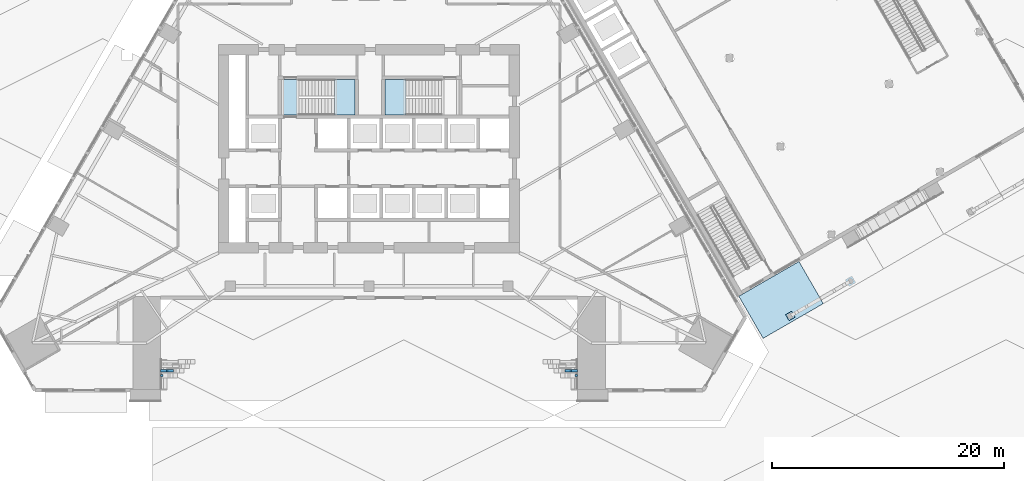
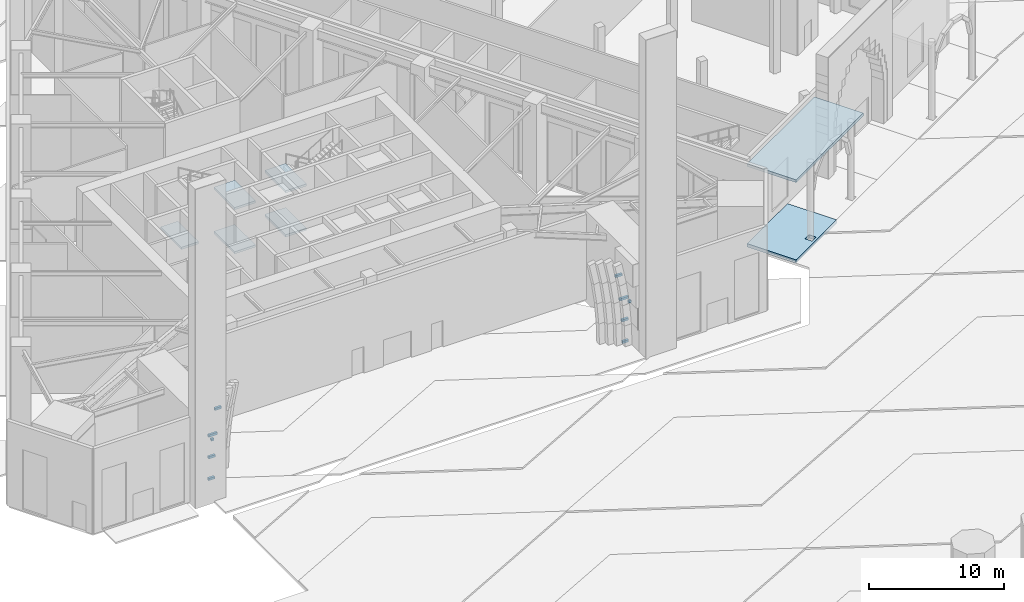
# One storey, part 6 of 34: 10 beams, 7 slabs, 2 elements without a shape of their own.
"""IFC4 building model written with IfcOpenShell, lengths in metres."""

from ifc_helpers import new_model, si_unit, direction, frame, origin, origin_2d, place, context, subcontext, project, spatial, polyline, rectangle, outline, extrude, material, layer, layer_set, material_profile, profile_set, type_object, element, aggregate, save


model = new_model("IFC4")

# Units and contexts
model_context = context("Model", 3, precision=1e-05, world=origin(), true_north=direction((0.0, 1.0)))
body_context = subcontext(model_context, "Body", "Model", "MODEL_VIEW")
ifc_project = project(units=[si_unit("LENGTHUNIT", "METRE"), si_unit("AREAUNIT", "SQUARE_METRE"), si_unit("VOLUMEUNIT", "CUBIC_METRE"), si_unit("PLANEANGLEUNIT", "RADIAN"), si_unit("MASSUNIT", "GRAM", prefix="KILO")], contexts=[model_context])

# Site, building, storey
site_placement = place(None, origin())
site = spatial("IfcSite", under=ifc_project, at=site_placement, CompositionType="ELEMENT")
building_placement = place(site_placement, origin())
building = spatial("IfcBuilding", under=site, at=building_placement, Name="Firuza Gate Tower and Library", CompositionType="ELEMENT")
storey_placement = place(building_placement, origin())
storey = spatial("IfcBuildingStorey", under=building, at=storey_placement, Name="L00", CompositionType="ELEMENT", Elevation=0.0)

# Beams
ifc_material_1 = material(Name="Concrete C60/75", Category="concrete")
ifc_material_profile = material_profile(ifc_material_1, rectangle(XDim=0.199951171875, YDim=0.199951171875, at=origin_2d()))
ifc_profile_set = profile_set([ifc_material_profile], Name="Concrete C60/75")
beam_type = type_object("IfcBeamType", Name="Arch rib bracket 200x200", PredefinedType="BEAM", material=ifc_profile_set)
for number, where, z_axis, x_axis, name in (
    (1, (57.0, 55.415283203125, 3.862548828125), (1.0, 0.0, 0.0), (0.0, 1.0, 0.0), "Arch rib bracket 1.3"),
    (2, (93.0, 55.415283203125, 3.862548828125), (-1.0, 0.0, 0.0), (0.0, -1.0, 0.0), "Arch rib bracket 1.36"),
):
    element("IfcBeam", number, at=place(storey_placement, frame(where, z_axis=z_axis, x_axis=x_axis)), inside=storey, type_object=beam_type, Name=name, PredefinedType="BEAM", context=body_context, shape_type="SweptSolid", body=[
        extrude(rectangle(XDim=0.199951171875, YDim=0.199951171875, at=origin_2d()), origin(), (0.0, 0.0, 1.0), 0.22998046875),
    ])
beam_1_placement = place(storey_placement, frame((57.0, 55.8154296875, 0.050048828125), z_axis=(1.0, 0.0, 0.0), x_axis=(0.0, 1.0, 0.0)))
element("IfcBeam", 3, at=beam_1_placement, inside=storey, type_object=beam_type, Name="Arch rib bracket 2.1", PredefinedType="BEAM", context=body_context, shape_type="SweptSolid", body=[
    extrude(rectangle(XDim=0.199951171875, YDim=0.199951171875, at=origin_2d()), origin(), (0.0, 0.0, 1.0), 0.51123046875),
])
beam_2_placement = place(storey_placement, frame((57.0, 55.8154296875, 2.0234375), z_axis=(1.0, 0.0, 0.0), x_axis=(0.0, 1.0, 0.0)))
element("IfcBeam", 4, at=beam_2_placement, inside=storey, type_object=beam_type, Name="Arch rib bracket 2.2", PredefinedType="BEAM", context=body_context, shape_type="SweptSolid", body=[
    extrude(rectangle(XDim=0.199951171875, YDim=0.199951171875, at=origin_2d()), origin(), (0.0, 0.0, 1.0), 0.571533203125),
])
beam_3_placement = place(storey_placement, frame((57.0, 55.8154296875, 3.990234375), z_axis=(1.0, 0.0, 0.0), x_axis=(0.0, 1.0, 0.0)))
element("IfcBeam", 5, at=beam_3_placement, inside=storey, type_object=beam_type, Name="Arch rib bracket 2.3", PredefinedType="BEAM", context=body_context, shape_type="SweptSolid", body=[
    extrude(rectangle(XDim=0.199951171875, YDim=0.199951171875, at=origin_2d()), origin(), (0.0, 0.0, 1.0), 0.74755859375),
])
for number, where, z_axis, x_axis, name in (
    (6, (57.53955078125, 55.8154296875, 6.2177734375), (1.0, 0.0, 0.0), (0.0, 1.0, 0.0), "Arch rib bracket 2.4"),
    (7, (92.46044921875, 55.8154296875, 6.2177734375), (-1.0, 0.0, 0.0), (0.0, -1.0, 0.0), "Arch rib bracket 2.33"),
):
    element("IfcBeam", number, at=place(storey_placement, frame(where, z_axis=z_axis, x_axis=x_axis)), inside=storey, type_object=beam_type, Name=name, PredefinedType="BEAM", context=body_context, shape_type="SweptSolid", body=[
        extrude(rectangle(XDim=0.199951171875, YDim=0.199951171875, at=origin_2d()), origin(), (0.0, 0.0, 1.0), 0.556396484375),
    ])
beam_4_placement = place(storey_placement, frame((93.0, 55.8154296875, 3.990234375), z_axis=(-1.0, 0.0, 0.0), x_axis=(0.0, -1.0, 0.0)))
element("IfcBeam", 8, at=beam_4_placement, inside=storey, type_object=beam_type, Name="Arch rib bracket 2.34", PredefinedType="BEAM", context=body_context, shape_type="SweptSolid", body=[
    extrude(rectangle(XDim=0.199951171875, YDim=0.199951171875, at=origin_2d()), origin(), (0.0, 0.0, 1.0), 0.74755859375),
])
beam_5_placement = place(storey_placement, frame((93.0, 55.8154296875, 2.0234375), z_axis=(-1.0, 0.0, 0.0), x_axis=(0.0, -1.0, 0.0)))
element("IfcBeam", 9, at=beam_5_placement, inside=storey, type_object=beam_type, Name="Arch rib bracket 2.35", PredefinedType="BEAM", context=body_context, shape_type="SweptSolid", body=[
    extrude(rectangle(XDim=0.199951171875, YDim=0.199951171875, at=origin_2d()), origin(), (0.0, 0.0, 1.0), 0.571533203125),
])
beam_6_placement = place(storey_placement, frame((93.0, 55.8154296875, 0.050048828125), z_axis=(-1.0, 0.0, 0.0), x_axis=(0.0, -1.0, 0.0)))
element("IfcBeam", 10, at=beam_6_placement, inside=storey, type_object=beam_type, Name="Arch rib bracket 2.36", PredefinedType="BEAM", context=body_context, shape_type="SweptSolid", body=[
    extrude(rectangle(XDim=0.199951171875, YDim=0.199951171875, at=origin_2d()), origin(), (0.0, 0.0, 1.0), 0.51123046875),
])

# Slabs
ifc_material_2 = material(Name="Concrete C30/37", Category="concrete")
ifc_layer_1 = layer(ifc_material_2, 0.300048828125)
ifc_layer_set_1 = layer_set([ifc_layer_1], Name="LIB APRON PAVING DARK")
slab_type_1 = type_object("IfcSlabType", Name="LIB APRON PAVING DARK", PredefinedType="BASESLAB", material=ifc_layer_set_1)
slab_1_placement = place(storey_placement, frame((0.0, 0.0, -0.300048828125)))
element("IfcSlab", 11, at=slab_1_placement, inside=storey, type_object=slab_type_1, Name="Library entrance paving 1", PredefinedType="BASESLAB", context=body_context, shape_type="SweptSolid", body=[
    extrude(outline(polyline([(114.229248046875, 61.622314453125), (112.129150390625, 65.259521484375), (106.93310546875, 62.259521484375), (109.032958984375, 58.622314453125), (114.229248046875, 61.622314453125)]), holes=[polyline([(111.791015625, 60.445556640625), (111.490966796875, 60.965087890625), (110.97119140625, 60.6650390625), (111.271240234375, 60.1455078125), (111.791015625, 60.445556640625)])]), origin(), (0.0, 0.0, 1.0), 0.300048828125),
])
ifc_material_3 = material(Name="Concrete C40/50", Category="concrete")
ifc_layer_2 = layer(ifc_material_3, 0.25)
ifc_layer_set_2 = layer_set([ifc_layer_2], Name="LIB CANOPY SLAB 250")
slab_type_2 = type_object("IfcSlabType", Name="LIB CANOPY SLAB 250", PredefinedType="ROOF", material=ifc_layer_set_2)
slab_2_placement = place(storey_placement, frame((0.0, 0.0, 7.0)))
element("IfcSlab", 12, at=slab_2_placement, inside=storey, type_object=slab_type_2, Name="Arcade canopy 1", PredefinedType="ROOF", context=body_context, shape_type="SweptSolid", body=[
    extrude(outline(polyline([(117.693359375, 63.622314453125), (115.59326171875, 67.259521484375), (106.93310546875, 62.259521484375), (109.032958984375, 58.622314453125), (117.693359375, 63.622314453125)])), origin(), (0.0, 0.0, 1.0), 0.25),
])

# Stair, slabs
ifc_material_4 = material(Name="Concrete C35/45", Category="concrete")
stair_type = type_object("IfcStairType", Name="Exit stair ST3", PredefinedType="HALF_TURN_STAIR", material=ifc_material_4)
placement_1 = place(storey_placement, origin())
stair_1 = element("IfcStair", 13, at=placement_1, inside=storey, type_object=stair_type, Name="L00 Stair ST1", PredefinedType="HALF_TURN_STAIR")
ifc_material_5 = material(Name="Concrete C35/45", Category="concrete")
ifc_layer_3 = layer(ifc_material_5, 0.199951171875)
ifc_layer_set_3 = layer_set([ifc_layer_3], Name="Stair landing 200")
slab_type_3 = type_object("IfcSlabType", Name="Stair landing 200", PredefinedType="LANDING", material=ifc_layer_set_3)
placement_2 = place(storey_placement, frame((0.0, 0.0, 1.800048828125)))
slab_3 = element("IfcSlab", 14, at=placement_2, type_object=slab_type_3, Name="ST1 landing 1", PredefinedType="LANDING", context=body_context, shape_type="SweptSolid", body=[
    extrude(outline(polyline([(72.02001953125, 77.89990234375), (73.81005859375, 77.89990234375), (73.81005859375, 80.97998046875), (72.02001953125, 80.97998046875), (72.02001953125, 77.89990234375)])), origin(), (0.0, 0.0, 1.0), 0.199951171875),
])
slab_4_placement = place(storey_placement, frame((0.0, 0.0, 3.800048828125)))
slab_4 = element("IfcSlab", 15, at=slab_4_placement, type_object=slab_type_3, Name="ST1 landing 2", PredefinedType="LANDING", context=body_context, shape_type="SweptSolid", body=[
    extrude(outline(polyline([(67.449951171875, 77.89990234375), (68.93994140625, 77.89990234375), (68.93994140625, 80.97998046875), (67.449951171875, 80.97998046875), (67.449951171875, 77.89990234375)])), origin(), (0.0, 0.0, 1.0), 0.199951171875),
])
placement_3 = place(storey_placement, frame((0.0, 0.0, 5.800048828125)))
slab_5 = element("IfcSlab", 16, at=placement_3, type_object=slab_type_3, Name="ST1 landing 3", PredefinedType="LANDING", context=body_context, shape_type="SweptSolid", body=[
    extrude(outline(polyline([(72.02001953125, 77.89990234375), (73.81005859375, 77.89990234375), (73.81005859375, 80.97998046875), (72.02001953125, 80.97998046875), (72.02001953125, 77.89990234375)])), origin(), (0.0, 0.0, 1.0), 0.199951171875),
])
aggregate(stair_1, [slab_3, slab_4, slab_5])

stair_2 = element("IfcStair", 17, at=placement_1, inside=storey, type_object=stair_type, Name="L00 Stair ST2", PredefinedType="HALF_TURN_STAIR")
slab_6 = element("IfcSlab", 18, at=placement_2, type_object=slab_type_3, Name="ST2 landing 1", PredefinedType="LANDING", context=body_context, shape_type="SweptSolid", body=[
    extrude(outline(polyline([(78.179931640625, 80.97998046875), (76.389892578125, 80.97998046875), (76.389892578125, 77.89990234375), (78.179931640625, 77.89990234375), (78.179931640625, 80.97998046875)])), origin(), (0.0, 0.0, 1.0), 0.199951171875),
])
slab_7 = element("IfcSlab", 19, at=placement_3, type_object=slab_type_3, Name="ST2 landing 3", PredefinedType="LANDING", context=body_context, shape_type="SweptSolid", body=[
    extrude(outline(polyline([(78.179931640625, 80.97998046875), (76.389892578125, 80.97998046875), (76.389892578125, 77.89990234375), (78.179931640625, 77.89990234375), (78.179931640625, 80.97998046875)])), origin(), (0.0, 0.0, 1.0), 0.199951171875),
])
aggregate(stair_2, [slab_6, slab_7])

save(model, "model.ifc")
